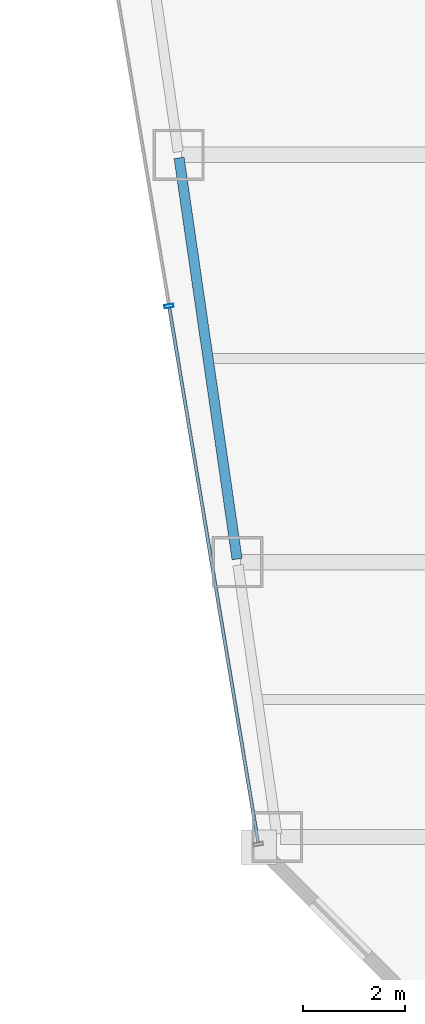
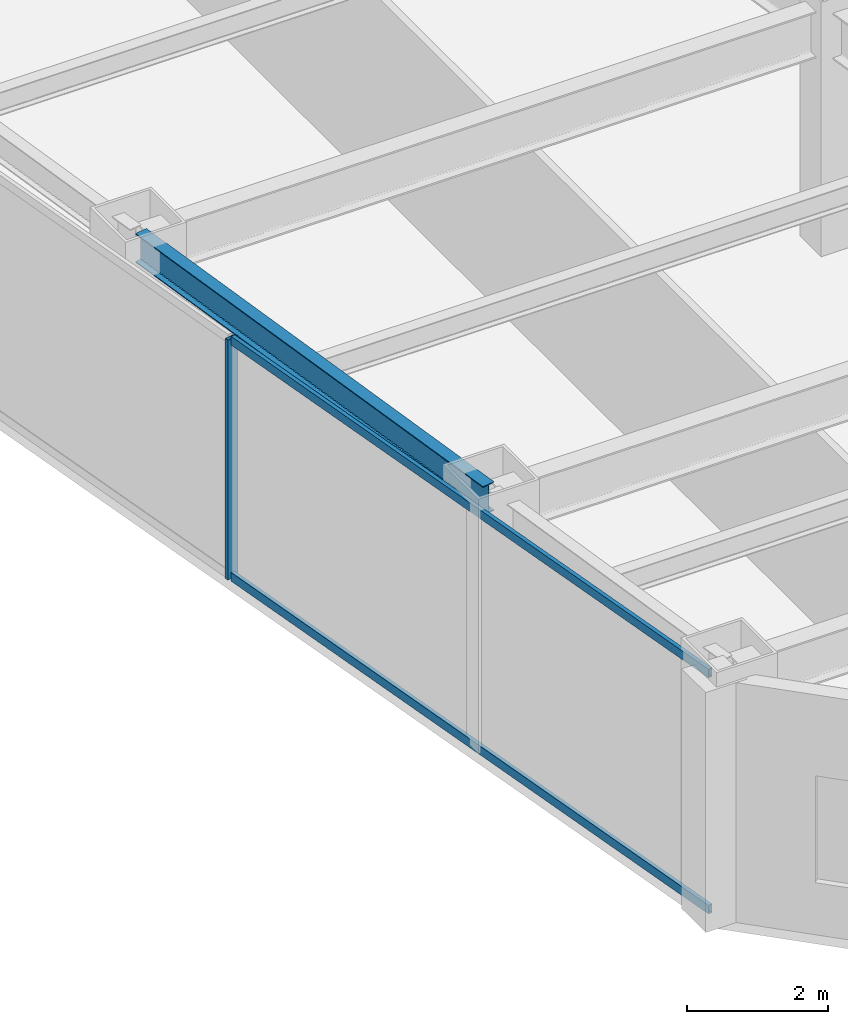
# One storey, part 3 of 37: 3 members, 1 beam, 1 element without a shape of its own.
"""IFC4 building model written with IfcOpenShell, lengths in metres."""

from ifc_helpers import new_model, si_unit, direction, frame, origin, origin_2d, place, context, subcontext, project, spatial, hollow_rectangle, i_section, extrude, material, material_profile, profile_set, type_object, element, aggregate, save


model = new_model("IFC4")

# Units and contexts
model_context = context("Model", 3, precision=1e-05, world=origin(), true_north=direction((0.0, 1.0)))
body_context = subcontext(model_context, "Body", "Model", "MODEL_VIEW")
ifc_project = project(units=[si_unit("LENGTHUNIT", "METRE"), si_unit("AREAUNIT", "SQUARE_METRE"), si_unit("VOLUMEUNIT", "CUBIC_METRE"), si_unit("PLANEANGLEUNIT", "RADIAN"), si_unit("MASSUNIT", "GRAM", prefix="KILO")], contexts=[model_context])

# Site, building, storey
site_placement = place(None, origin())
site = spatial("IfcSite", under=ifc_project, at=site_placement, CompositionType="ELEMENT")
building_placement = place(site_placement, origin())
building = spatial("IfcBuilding", under=site, at=building_placement, Name="Saevonmaru Cultural Tower", CompositionType="ELEMENT")
storey_placement = place(building_placement, frame((0.0, 0.0, 110.39990234375)))
storey = spatial("IfcBuildingStorey", under=building, at=storey_placement, Name="L23", CompositionType="ELEMENT", Elevation=110.39990234375)

# Beam
ifc_material_1 = material(Name="Steel SM355", Category="steel")
ifc_material_profile_1 = material_profile(ifc_material_1, i_section(OverallWidth=0.199951171875, OverallDepth=0.5, WebThickness=0.010009765625, FlangeThickness=0.01611328125, FilletRadius=0.02001953125, at=origin_2d()), Name="H-500x200x10x16")
ifc_profile_set_1 = profile_set([ifc_material_profile_1], Name="Steel SM355")
beam_type = type_object("IfcBeamType", Name="BM-SP-H500", PredefinedType="SPANDREL", material=ifc_profile_set_1)
beam_placement = place(storey_placement, frame((10.619384765625, 16.059326171875, 3.900146484375), z_axis=(-0.142992129437, 0.989723825579, 0.0), x_axis=(-0.989723825579, -0.142992129437, 0.0)))
element("IfcBeam", 1, at=beam_placement, inside=storey, type_object=beam_type, Name="L23 West Splayed Spandrel 2", PredefinedType="SPANDREL", context=body_context, shape_type="SweptSolid", body=[
    extrude(i_section(OverallWidth=0.199951171875, OverallDepth=0.5, WebThickness=0.010009765625, FlangeThickness=0.01611328125, FilletRadius=0.02001953125, at=origin_2d()), origin(), (0.0, 0.0, 1.0), 7.963134765625),
])

# Curtain wall, members
ifc_material_2 = material(Name="Satin Bronze Anodised Aluminium", Category="aluminium")
curtain_wall_type = type_object("IfcCurtainWallType", Name="CW-TYP-A", PredefinedType="NOTDEFINED", material=ifc_material_2)
curtain_wall_placement = place(storey_placement, origin())
curtain_wall = element("IfcCurtainWall", 2, at=curtain_wall_placement, inside=storey, type_object=curtain_wall_type, Name="L23 Unitised Curtain Wall E12", PredefinedType="NOTDEFINED")
ifc_material_profile_2 = material_profile(ifc_material_2, hollow_rectangle(XDim=0.06494140625, YDim=0.179931640625, WallThickness=0.00390625, at=origin_2d()), Name="ALU-MULL-180x65x4")
ifc_profile_set_2 = profile_set([ifc_material_profile_2], Name="Satin Bronze Anodised Aluminium")
member_type_1 = type_object("IfcMemberType", Name="ML-CW-180x65", PredefinedType="MULLION", material=ifc_profile_set_2)
member_1_placement = place(storey_placement, frame((9.28173828125, 21.029541015625, 0.0), z_axis=(0.0, 0.0, 1.0), x_axis=(0.163998702345, -0.986460554523, 0.0)))
member_1 = element("IfcMember", 3, at=member_1_placement, type_object=member_type_1, Name="CW-TW-L23-E12 mullion 4", PredefinedType="MULLION", context=body_context, shape_type="SweptSolid", body=[
    extrude(hollow_rectangle(XDim=0.06494140625, YDim=0.179931640625, WallThickness=0.00390625, at=origin_2d()), origin(), (0.0, 0.0, 1.0), 4.150146484375),
])
ifc_material_profile_3 = material_profile(ifc_material_2, hollow_rectangle(XDim=0.06494140625, YDim=0.14990234375, WallThickness=0.00390625, at=origin_2d()), Name="ALU-TRAN-150x65x4")
ifc_profile_set_3 = profile_set([ifc_material_profile_3], Name="Satin Bronze Anodised Aluminium")
member_type_2 = type_object("IfcMemberType", Name="TR-CW-150x65", PredefinedType="USERDEFINED", material=ifc_profile_set_3)
member_2_placement = place(storey_placement, frame((9.287109375, 20.99755859375, 0.03271484375), z_axis=(0.163990079074, -0.9864619881, 0.0), x_axis=(0.9864619881, 0.163990079074, 0.0)))
member_2 = element("IfcMember", 4, at=member_2_placement, type_object=member_type_2, Name="CW-TW-L23-E12 transom 4.1", ObjectType="TRANSOM", PredefinedType="USERDEFINED", context=body_context, shape_type="SweptSolid", body=[
    extrude(hollow_rectangle(XDim=0.06494140625, YDim=0.14990234375, WallThickness=0.00390625, at=origin_2d()), origin(), (0.0, 0.0, 1.0), 10.650634765625),
])
member_3_placement = place(storey_placement, frame((9.287109375, 20.99755859375, 4.11767578125), z_axis=(0.163990079074, -0.9864619881, 0.0), x_axis=(0.9864619881, 0.163990079074, 0.0)))
member_3 = element("IfcMember", 5, at=member_3_placement, type_object=member_type_2, Name="CW-TW-L23-E12 transom 4.2", ObjectType="TRANSOM", PredefinedType="USERDEFINED", context=body_context, shape_type="SweptSolid", body=[
    extrude(hollow_rectangle(XDim=0.06494140625, YDim=0.14990234375, WallThickness=0.00390625, at=origin_2d()), origin(), (0.0, 0.0, 1.0), 10.650634765625),
])
aggregate(curtain_wall, [member_1, member_2, member_3])

save(model, "model.ifc")
